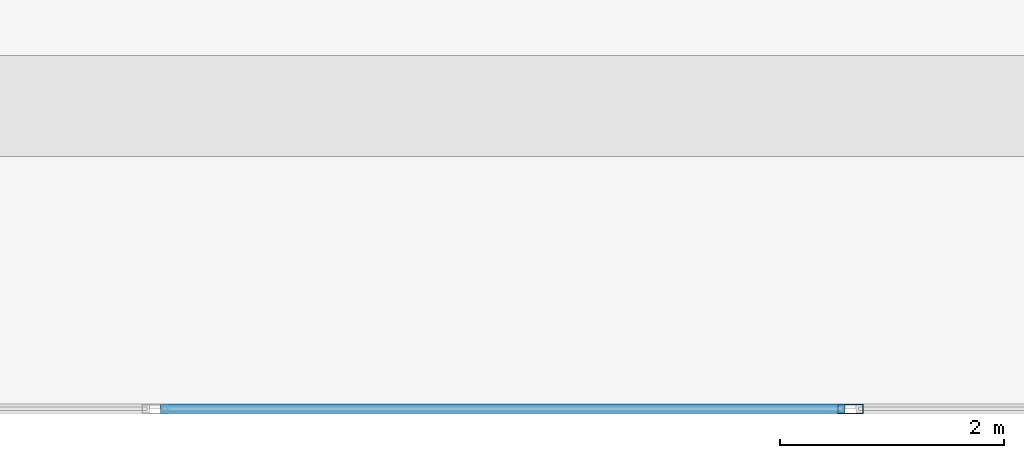
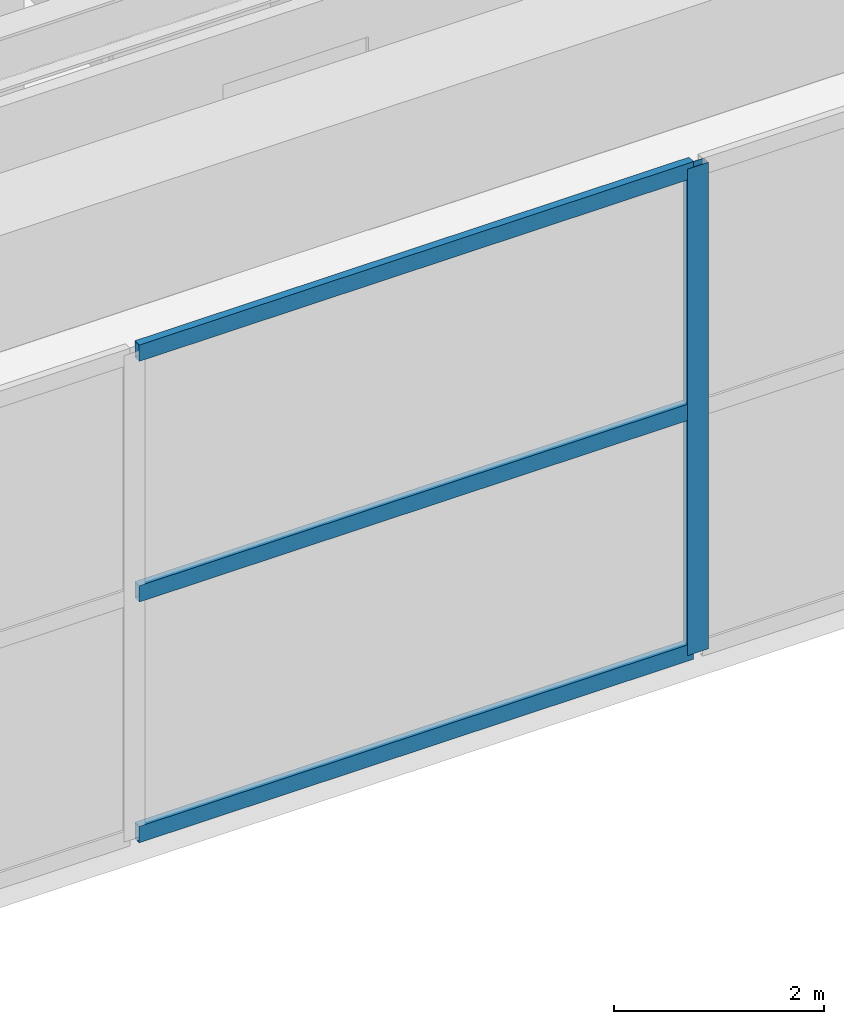
# One storey, part 4 of 21: 4 members, 1 element without a shape of its own.
"""IFC4 building model written with IfcOpenShell, lengths in metres."""

from ifc_helpers import new_model, si_unit, direction, frame, origin, origin_2d, place, context, subcontext, project, spatial, hollow_rectangle, extrude, material, material_profile, profile_set, type_object, element, aggregate, save


model = new_model("IFC4")

# Units and contexts
model_context = context("Model", 3, precision=1e-05, world=origin(), true_north=direction((0.0, 1.0)))
body_context = subcontext(model_context, "Body", "Model", "MODEL_VIEW")
ifc_project = project(units=[si_unit("LENGTHUNIT", "METRE"), si_unit("AREAUNIT", "SQUARE_METRE"), si_unit("VOLUMEUNIT", "CUBIC_METRE"), si_unit("PLANEANGLEUNIT", "RADIAN"), si_unit("MASSUNIT", "GRAM", prefix="KILO")], contexts=[model_context])

# Site, building, storey
site_placement = place(None, origin())
site = spatial("IfcSite", under=ifc_project, at=site_placement, CompositionType="ELEMENT")
building_placement = place(site_placement, origin())
building = spatial("IfcBuilding", under=site, at=building_placement, Name="Kovane Verandah Tower", CompositionType="ELEMENT")
storey_placement = place(building_placement, frame((0.0, 0.0, 342.800048828125)))
storey = spatial("IfcBuildingStorey", under=building, at=storey_placement, Name="L80", CompositionType="ELEMENT", Elevation=342.800048828125)

# Curtain wall, members
ifc_material_1 = material(Name="Champagne Anodised Aluminium Frame with Low-E Clear Laminated Glass", Category="aluminium")
curtain_wall_type = type_object("IfcCurtainWallType", Name="CW-SYS-06-CROWN", PredefinedType="NOTDEFINED", material=ifc_material_1)
curtain_wall_placement = place(storey_placement, origin())
curtain_wall = element("IfcCurtainWall", 1, at=curtain_wall_placement, inside=storey, type_object=curtain_wall_type, Name="L80 S Unitised Curtain Wall", PredefinedType="NOTDEFINED")
ifc_material_2 = material(Name="Champagne Anodised Aluminium 6063-T6", Category="aluminium")
ifc_material_profile_1 = material_profile(ifc_material_2, hollow_rectangle(XDim=0.0849609375, YDim=0.22998046875, WallThickness=0.00390625, at=origin_2d()), Name="AL85x230x4")
ifc_profile_set_1 = profile_set([ifc_material_profile_1], Name="Champagne Anodised Aluminium 6063-T6")
member_type_1 = type_object("IfcMemberType", Name="CW-MUL-85x230", PredefinedType="MULLION", material=ifc_profile_set_1)
member_1_placement = place(storey_placement, frame((40.0, 8.10009765625, 0.02001953125), z_axis=(0.0, 0.0, 1.0), x_axis=(0.0, -1.0, 0.0)))
member_1 = element("IfcMember", 2, at=member_1_placement, type_object=member_type_1, Name="L80 S Unitised Curtain Wall Mullion 4", PredefinedType="MULLION", context=body_context, shape_type="SweptSolid", body=[
    extrude(hollow_rectangle(XDim=0.0849609375, YDim=0.22998046875, WallThickness=0.00390625, at=origin_2d()), origin(), (0.0, 0.0, 1.0), 5.659912109375),
])
ifc_material_profile_2 = material_profile(ifc_material_2, hollow_rectangle(XDim=0.0849609375, YDim=0.18994140625, WallThickness=0.00390625, at=origin_2d()), Name="AL85x190x4")
ifc_profile_set_2 = profile_set([ifc_material_profile_2], Name="Champagne Anodised Aluminium 6063-T6")
member_type_2 = type_object("IfcMemberType", Name="CW-TRN-85x190", PredefinedType="USERDEFINED", material=ifc_profile_set_2)
member_2_placement = place(storey_placement, frame((33.85009765625, 8.10009765625, 0.050048828125), z_axis=(1.0, 0.0, 0.0), x_axis=(0.0, 1.0, 0.0)))
member_2 = element("IfcMember", 3, at=member_2_placement, type_object=member_type_2, Name="L80 S Unitised Curtain Wall Transom TB Bay 3", ObjectType="TRANSOM", PredefinedType="USERDEFINED", context=body_context, shape_type="SweptSolid", body=[
    extrude(hollow_rectangle(XDim=0.0849609375, YDim=0.18994140625, WallThickness=0.00390625, at=origin_2d()), origin(), (0.0, 0.0, 1.0), 6.099853515625),
])
member_3_placement = place(storey_placement, frame((33.85009765625, 8.10009765625, 2.849853515625), z_axis=(1.0, 0.0, 0.0), x_axis=(0.0, 1.0, 0.0)))
member_3 = element("IfcMember", 4, at=member_3_placement, type_object=member_type_2, Name="L80 S Unitised Curtain Wall Transom TM Bay 3", ObjectType="TRANSOM", PredefinedType="USERDEFINED", context=body_context, shape_type="SweptSolid", body=[
    extrude(hollow_rectangle(XDim=0.0849609375, YDim=0.18994140625, WallThickness=0.00390625, at=origin_2d()), origin(), (0.0, 0.0, 1.0), 6.099853515625),
])
member_4_placement = place(storey_placement, frame((33.85009765625, 8.10009765625, 5.64990234375), z_axis=(1.0, 0.0, 0.0), x_axis=(0.0, 1.0, 0.0)))
member_4 = element("IfcMember", 5, at=member_4_placement, type_object=member_type_2, Name="L80 S Unitised Curtain Wall Transom TT Bay 3", ObjectType="TRANSOM", PredefinedType="USERDEFINED", context=body_context, shape_type="SweptSolid", body=[
    extrude(hollow_rectangle(XDim=0.0849609375, YDim=0.18994140625, WallThickness=0.00390625, at=origin_2d()), origin(), (0.0, 0.0, 1.0), 6.099853515625),
])
aggregate(curtain_wall, [member_1, member_2, member_3, member_4])

save(model, "model.ifc")
